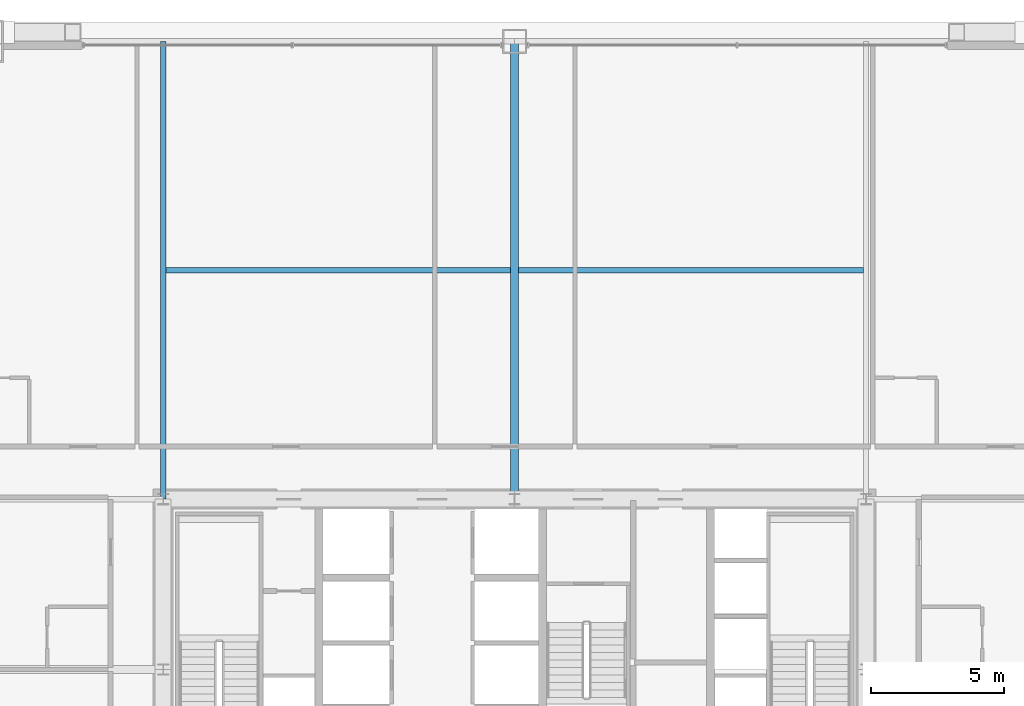
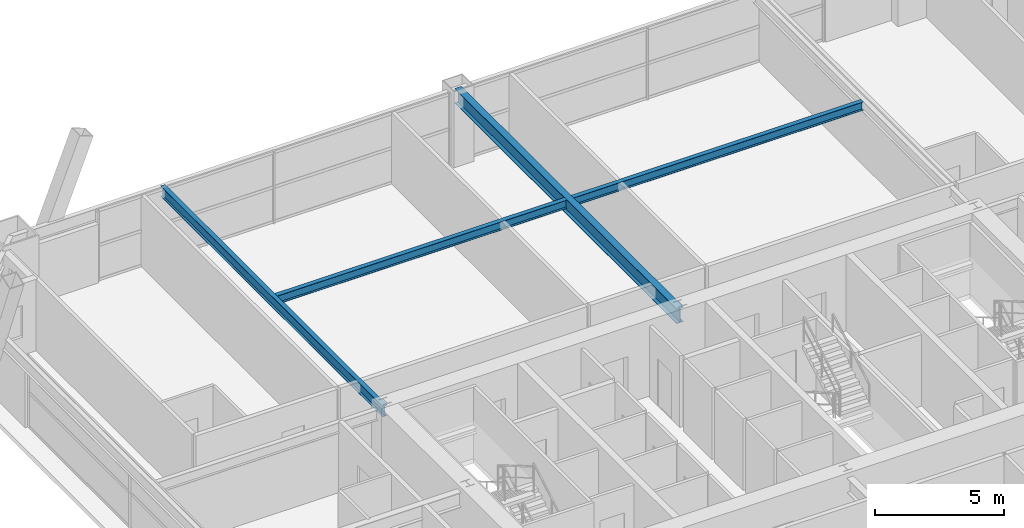
# One storey, part 27 of 43: 4 beams.
"""IFC4 building model written with IfcOpenShell, lengths in metres."""

from ifc_helpers import new_model, si_unit, direction, frame, origin, origin_2d, place, context, subcontext, project, spatial, i_section, extrude, source, transform, mapped, material, material_profile, profile_set, type_object, element, save


model = new_model("IFC4")

# Units and contexts
model_context = context("Model", 3, precision=1e-05, world=origin(), true_north=direction((0.0, 1.0)))
body_context = subcontext(model_context, "Body", "Model", "MODEL_VIEW")
ifc_project = project(units=[si_unit("LENGTHUNIT", "METRE"), si_unit("AREAUNIT", "SQUARE_METRE"), si_unit("VOLUMEUNIT", "CUBIC_METRE"), si_unit("PLANEANGLEUNIT", "RADIAN"), si_unit("MASSUNIT", "GRAM", prefix="KILO"), si_unit("THERMODYNAMICTEMPERATUREUNIT", "KELVIN"), si_unit("POWERUNIT", "WATT")], contexts=[model_context])

# Site, building, storey
site_placement = place(None, origin())
site = spatial("IfcSite", under=ifc_project, at=site_placement, CompositionType="ELEMENT")
building_placement = place(site_placement, origin())
building = spatial("IfcBuilding", under=site, at=building_placement, Name="Yuzanri Waterfront Tower", CompositionType="ELEMENT")
storey_placement = place(building_placement, frame((0.0, 0.0, 138.0)))
storey = spatial("IfcBuildingStorey", under=building, at=storey_placement, Name="L36", CompositionType="ELEMENT", Elevation=138.0)

# Beams
ifc_material_1 = material(Name="Steel Q355B", Category="steel")
ifc_material_profile_1 = material_profile(ifc_material_1, i_section(OverallWidth=0.199951171875, OverallDepth=0.39990234375, WebThickness=0.008056640625, FlangeThickness=0.012939453125, at=origin_2d()), Name="HN 400x200x8x13")
ifc_profile_set_1 = profile_set([ifc_material_profile_1], Name="Steel Q355B")
beam_type_1 = type_object("IfcBeamType", Name="Floor Joist Q355B HN 400x200", PredefinedType="JOIST", material=ifc_profile_set_1)
shared_shape_1 = source(origin(), body_context, "Body", "SweptSolid", [
    extrude(i_section(OverallWidth=0.199951171875, OverallDepth=0.39990234375, WebThickness=0.008056640625, FlangeThickness=0.012939453125, at=origin_2d()), origin(), (0.0, 0.0, 1.0), 12.9501953125),
])
for number, where, z_axis, x_axis, name in (
    (1, (23.89990234375, 40.800048828125, 3.179931640625), (1.0, 0.0, 0.0), (0.0, 1.0, 0.0), "L36 North Bay Joist W"),
    (2, (37.14990234375, 40.800048828125, 3.179931640625), (1.0, 0.0, 0.0), (0.0, 1.0, 0.0), "L36 North Bay Joist E"),
):
    element("IfcBeam", number, at=place(storey_placement, frame(where, z_axis=z_axis, x_axis=x_axis)), inside=storey, type_object=beam_type_1, Name=name, PredefinedType="JOIST", context=body_context, shape_type="MappedRepresentation", body=[
        mapped(shared_shape_1, transform((0.0, 0.0, 0.0), scale=1.0)),
    ])
ifc_material_2 = material(Name="Steel Q355B", Category="steel")
ifc_material_profile_2 = material_profile(ifc_material_2, i_section(OverallWidth=0.300048828125, OverallDepth=0.699951171875, WebThickness=0.012939453125, FlangeThickness=0.02392578125, at=origin_2d()), Name="HN 700x300x13x24")
ifc_profile_set_2 = profile_set([ifc_material_profile_2], Name="Steel Q355B")
beam_type_2 = type_object("IfcBeamType", Name="Primary Floor Girder Q355B HN 700x300", PredefinedType="BEAM", material=ifc_profile_set_2)
shared_shape_2 = source(origin(), body_context, "Body", "SweptSolid", [
    extrude(i_section(OverallWidth=0.300048828125, OverallDepth=0.699951171875, WebThickness=0.012939453125, FlangeThickness=0.02392578125, at=origin_2d()), origin(), (0.0, 0.0, 1.0), 17.199951171875),
])
beam_1_placement = place(storey_placement, frame((37.0, 32.199951171875, 3.030029296875), z_axis=(0.0, 1.0, 0.0), x_axis=(-1.0, 0.0, 0.0)))
element("IfcBeam", 3, at=beam_1_placement, inside=storey, type_object=beam_type_2, Name="L36 North Grid Girder", PredefinedType="BEAM", context=body_context, shape_type="MappedRepresentation", body=[
    mapped(shared_shape_2, transform((0.0, 0.0, 0.0), scale=1.0)),
])
ifc_material_3 = material(Name="Steel Q355B", Category="steel")
ifc_material_profile_3 = material_profile(ifc_material_3, i_section(OverallWidth=0.199951171875, OverallDepth=0.5, WebThickness=0.010009765625, FlangeThickness=0.01611328125, at=origin_2d()), Name="HN 500x200x10x16")
ifc_profile_set_3 = profile_set([ifc_material_profile_3], Name="Steel Q355B")
beam_type_3 = type_object("IfcBeamType", Name="Secondary Floor Beam Q355B HN 500x200", PredefinedType="BEAM", material=ifc_profile_set_3)
shared_shape_3 = source(origin(), body_context, "Body", "SweptSolid", [
    extrude(i_section(OverallWidth=0.199951171875, OverallDepth=0.5, WebThickness=0.010009765625, FlangeThickness=0.01611328125, at=origin_2d()), origin(), (0.0, 0.0, 1.0), 17.199951171875),
])
beam_2_placement = place(storey_placement, frame((23.800048828125, 32.199951171875, 3.1298828125), z_axis=(0.0, 1.0, 0.0), x_axis=(-1.0, 0.0, 0.0)))
element("IfcBeam", 4, at=beam_2_placement, inside=storey, type_object=beam_type_3, Name="L36 North-West Core Line Beam", PredefinedType="BEAM", context=body_context, shape_type="MappedRepresentation", body=[
    mapped(shared_shape_3, transform((0.0, 0.0, 0.0), scale=1.0)),
])

save(model, "model.ifc")
